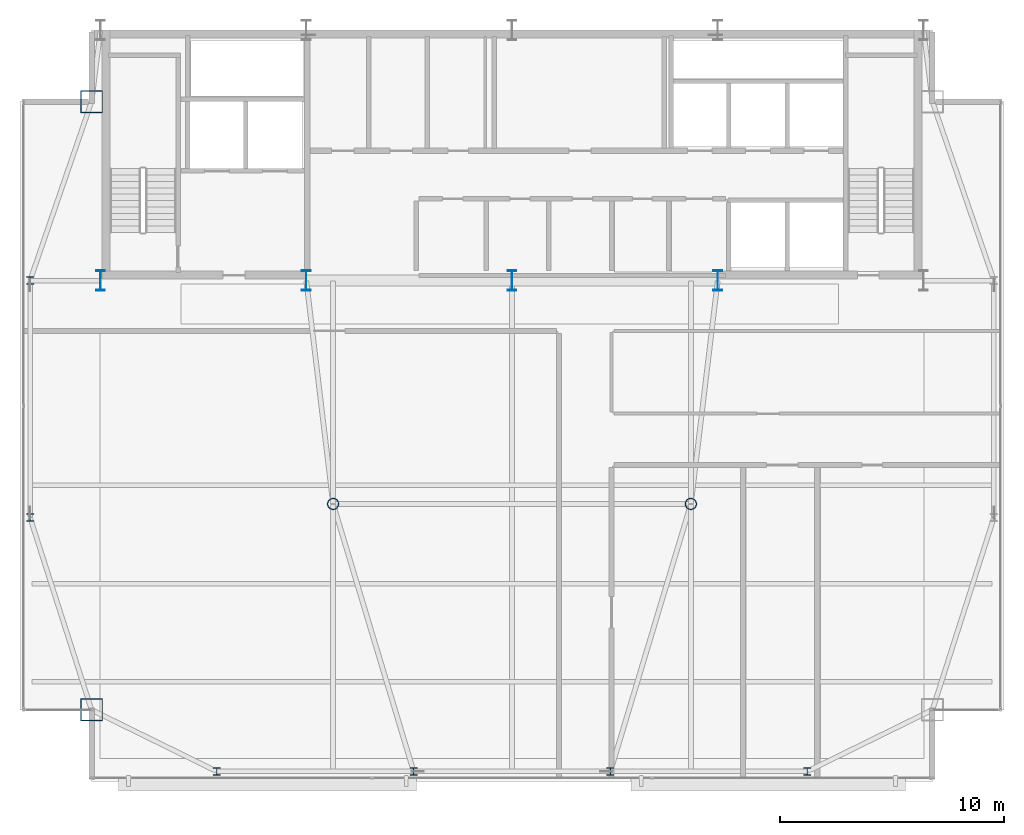
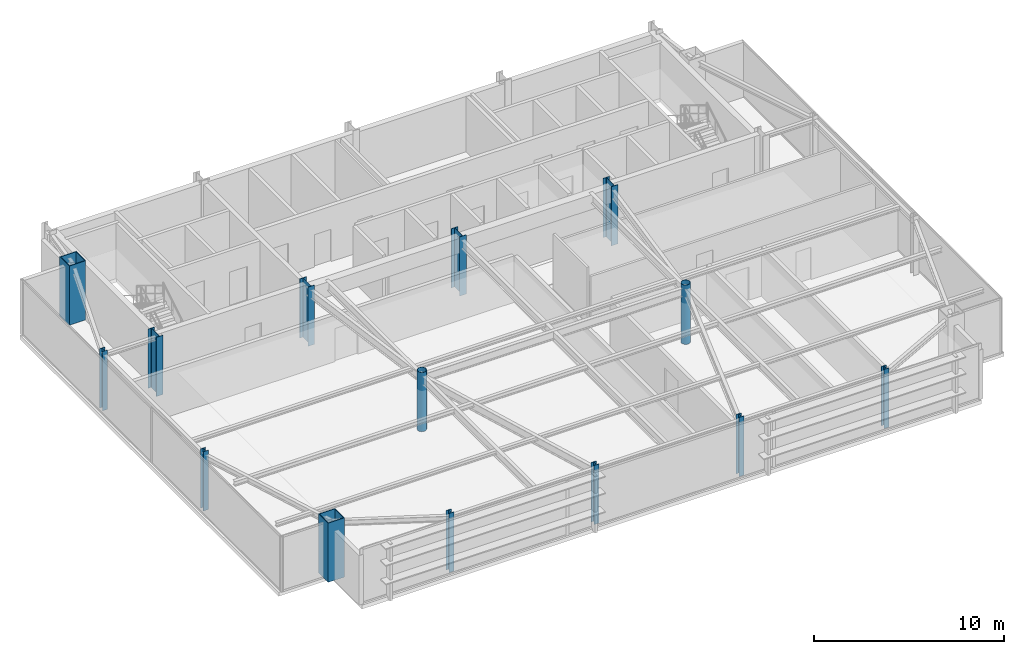
# One storey, part 1 of 24: 14 columns.
"""IFC4 building model written with IfcOpenShell, lengths in metres."""

from ifc_helpers import new_model, si_unit, direction, frame, origin, origin_2d, place, context, subcontext, project, spatial, hollow_rectangle, hollow_circle, i_section, extrude, source, transform, mapped, material, material_profile, profile_set, type_object, type_shapes, element, save


model = new_model("IFC4")

# Units and contexts
model_context = context("Model", 3, precision=1e-05, world=origin(), true_north=direction((0.0, 1.0)))
body_context = subcontext(model_context, "Body", "Model", "MODEL_VIEW")
ifc_project = project(units=[si_unit("LENGTHUNIT", "METRE"), si_unit("AREAUNIT", "SQUARE_METRE"), si_unit("VOLUMEUNIT", "CUBIC_METRE"), si_unit("PLANEANGLEUNIT", "RADIAN"), si_unit("MASSUNIT", "GRAM", prefix="KILO")], contexts=[model_context])

# Site, building, storey
site_placement = place(None, origin())
site = spatial("IfcSite", under=ifc_project, at=site_placement, CompositionType="ELEMENT")
building_placement = place(site_placement, origin())
building = spatial("IfcBuilding", under=site, at=building_placement, Name="Varnel Quay Broadcast Tower", CompositionType="ELEMENT")
storey_placement = place(building_placement, frame((0.0, 0.0, 285.0)))
storey = spatial("IfcBuildingStorey", under=building, at=storey_placement, Name="L71", CompositionType="ELEMENT", Elevation=285.0)

# Columns
ifc_material_1 = material(Name="Structural Steel CSA G40.21 350WT", Category="steel")
ifc_material_profile_1 = material_profile(ifc_material_1, i_section(OverallWidth=0.39990234375, OverallDepth=0.89990234375, WebThickness=0.01611328125, FlangeThickness=0.028076171875, FilletRadius=0.01611328125, at=origin_2d()), Name="WWF900X309")
ifc_profile_set_1 = profile_set([ifc_material_profile_1], Name="Structural Steel CSA G40.21 350WT")
column_type_1 = type_object("IfcColumnType", Name="Col_WWF900X309", PredefinedType="COLUMN", material=ifc_profile_set_1)
shared_shape_1 = source(origin(), body_context, "Body", "SweptSolid", [
    extrude(i_section(OverallWidth=0.39990234375, OverallDepth=0.89990234375, WebThickness=0.01611328125, FlangeThickness=0.028076171875, FilletRadius=0.01611328125, at=origin_2d()), origin(), (0.0, 0.0, 1.0), 3.800048828125),
])
type_shapes(column_type_1, [shared_shape_1])
for number, where, z_axis, x_axis, name in (
    (1, (15.60009765625, 35.60009765625, 0.0), (0.0, 0.0, 1.0), (1.0, 0.0, 0.0), "L71 Column CC-S1"),
    (2, (24.800048828125, 35.60009765625, 0.0), (0.0, 0.0, 1.0), (1.0, 0.0, 0.0), "L71 Column CC-S2"),
    (3, (34.0, 35.60009765625, 0.0), (0.0, 0.0, 1.0), (1.0, 0.0, 0.0), "L71 Column CC-S3"),
    (4, (43.199951171875, 35.60009765625, 0.0), (0.0, 0.0, 1.0), (1.0, 0.0, 0.0), "L71 Column CC-S4"),
):
    element("IfcColumn", number, at=place(storey_placement, frame(where, z_axis=z_axis, x_axis=x_axis)), inside=storey, type_object=column_type_1, Name=name, PredefinedType="COLUMN", context=body_context, shape_type="MappedRepresentation", body=[
        mapped(shared_shape_1, transform((0.0, 0.0, 0.0), x_axis=(1.0, 0.0, 0.0), y_axis=(0.0, 1.0, 0.0), z_axis=(0.0, 0.0, 1.0), scale=1.0)),
    ])
ifc_material_profile_2 = material_profile(ifc_material_1, hollow_rectangle(XDim=1.0, YDim=1.0, WallThickness=0.0400390625, at=origin_2d()), Name="BOX1000X1000X40")
ifc_profile_set_2 = profile_set([ifc_material_profile_2], Name="Structural Steel CSA G40.21 350WT")
column_type_2 = type_object("IfcColumnType", Name="Col_BOX1000X1000X40", PredefinedType="COLUMN", material=ifc_profile_set_2)
shared_shape_2 = source(origin(), body_context, "Body", "SweptSolid", [
    extrude(hollow_rectangle(XDim=1.0, YDim=1.0, WallThickness=0.0400390625, at=origin_2d()), origin(), (0.0, 0.0, 1.0), 3.800048828125),
])
type_shapes(column_type_2, [shared_shape_2])
for number, where, z_axis, x_axis, name in (
    (5, (15.199951171875, 16.39990234375, 0.0), (0.0, 0.0, 1.0), (1.0, 0.0, 0.0), "L71 Column MC-SW"),
    (6, (15.199951171875, 43.60009765625, 0.0), (0.0, 0.0, 1.0), (1.0, 0.0, 0.0), "L71 Column MC-NW"),
):
    element("IfcColumn", number, at=place(storey_placement, frame(where, z_axis=z_axis, x_axis=x_axis)), inside=storey, type_object=column_type_2, Name=name, PredefinedType="COLUMN", context=body_context, shape_type="MappedRepresentation", body=[
        mapped(shared_shape_2, transform((0.0, 0.0, 0.0), x_axis=(1.0, 0.0, 0.0), y_axis=(0.0, 1.0, 0.0), z_axis=(0.0, 0.0, 1.0), scale=1.0)),
    ])
ifc_material_2 = material(Name="Structural Steel CSA G40.21 350W", Category="steel")
ifc_material_profile_3 = material_profile(ifc_material_2, i_section(OverallWidth=0.30908203125, OverallDepth=0.322998046875, WebThickness=0.013916015625, FlangeThickness=0.02294921875, FilletRadius=0.014892578125, at=origin_2d()), Name="W310X143")
ifc_profile_set_3 = profile_set([ifc_material_profile_3], Name="Structural Steel CSA G40.21 350W")
column_type_3 = type_object("IfcColumnType", Name="Col_W310X143", PredefinedType="COLUMN", material=ifc_profile_set_3)
shared_shape_3 = source(origin(), body_context, "Body", "SweptSolid", [
    extrude(i_section(OverallWidth=0.30908203125, OverallDepth=0.322998046875, WebThickness=0.013916015625, FlangeThickness=0.02294921875, FilletRadius=0.014892578125, at=origin_2d()), origin(), (0.0, 0.0, 1.0), 3.800048828125),
])
type_shapes(column_type_3, [shared_shape_3])
for number, where, z_axis, x_axis, name in (
    (7, (20.800048828125, 13.64990234375, 0.0), (0.0, 0.0, 1.0), (1.0, 0.0, 0.0), "L71 Column TC-S1"),
    (8, (29.60009765625, 13.64990234375, 0.0), (0.0, 0.0, 1.0), (1.0, 0.0, 0.0), "L71 Column TC-S2"),
    (9, (38.39990234375, 13.64990234375, 0.0), (0.0, 0.0, 1.0), (1.0, 0.0, 0.0), "L71 Column TC-S3"),
    (10, (47.199951171875, 13.64990234375, 0.0), (0.0, 0.0, 1.0), (1.0, 0.0, 0.0), "L71 Column TC-S4"),
    (11, (12.449951171875, 25.0, 0.0), (0.0, 0.0, 1.0), (1.0, 0.0, 0.0), "L71 Column TC-W1"),
    (12, (12.449951171875, 35.60009765625, 0.0), (0.0, 0.0, 1.0), (1.0, 0.0, 0.0), "L71 Column TC-W2"),
):
    element("IfcColumn", number, at=place(storey_placement, frame(where, z_axis=z_axis, x_axis=x_axis)), inside=storey, type_object=column_type_3, Name=name, PredefinedType="COLUMN", context=body_context, shape_type="MappedRepresentation", body=[
        mapped(shared_shape_3, transform((0.0, 0.0, 0.0), x_axis=(1.0, 0.0, 0.0), y_axis=(0.0, 1.0, 0.0), z_axis=(0.0, 0.0, 1.0), scale=1.0)),
    ])
ifc_material_profile_4 = material_profile(ifc_material_2, hollow_circle(Radius=0.25390625, WallThickness=0.02001953125, at=origin_2d()), Name="CHS508X20")
ifc_profile_set_4 = profile_set([ifc_material_profile_4], Name="Structural Steel CSA G40.21 350W")
column_type_4 = type_object("IfcColumnType", Name="Col_CHS508X20", PredefinedType="COLUMN", material=ifc_profile_set_4)
shared_shape_4 = source(origin(), body_context, "Body", "SweptSolid", [
    extrude(hollow_circle(Radius=0.25390625, WallThickness=0.02001953125, at=origin_2d()), origin(), (0.0, 0.0, 1.0), 3.800048828125),
])
type_shapes(column_type_4, [shared_shape_4])
for number, where, z_axis, x_axis, name in (
    (13, (26.0, 25.610107421875, 0.0), (0.0, 0.0, 1.0), (1.0, 0.0, 0.0), "L71 Column IC-01"),
    (14, (42.0, 25.610107421875, 0.0), (0.0, 0.0, 1.0), (1.0, 0.0, 0.0), "L71 Column IC-02"),
):
    element("IfcColumn", number, at=place(storey_placement, frame(where, z_axis=z_axis, x_axis=x_axis)), inside=storey, type_object=column_type_4, Name=name, PredefinedType="COLUMN", context=body_context, shape_type="MappedRepresentation", body=[
        mapped(shared_shape_4, transform((0.0, 0.0, 0.0), x_axis=(1.0, 0.0, 0.0), y_axis=(0.0, 1.0, 0.0), z_axis=(0.0, 0.0, 1.0), scale=1.0)),
    ])

save(model, "model.ifc")
